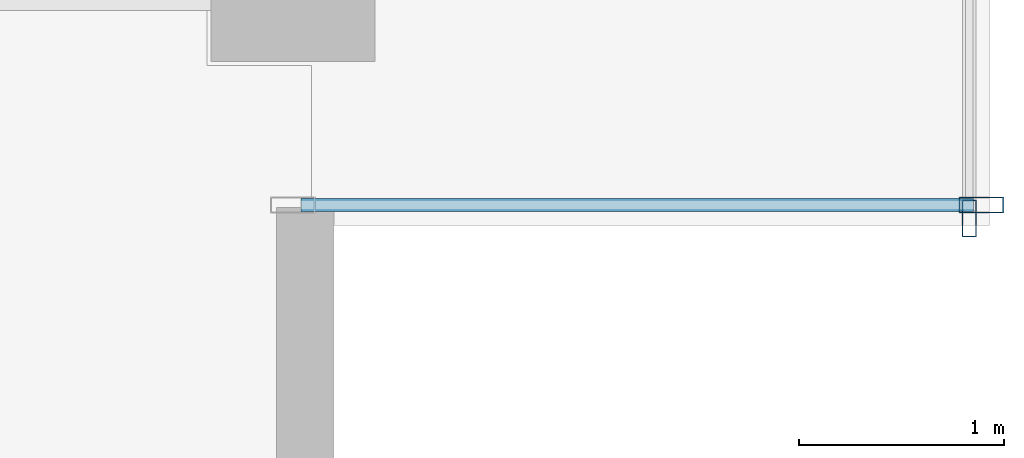
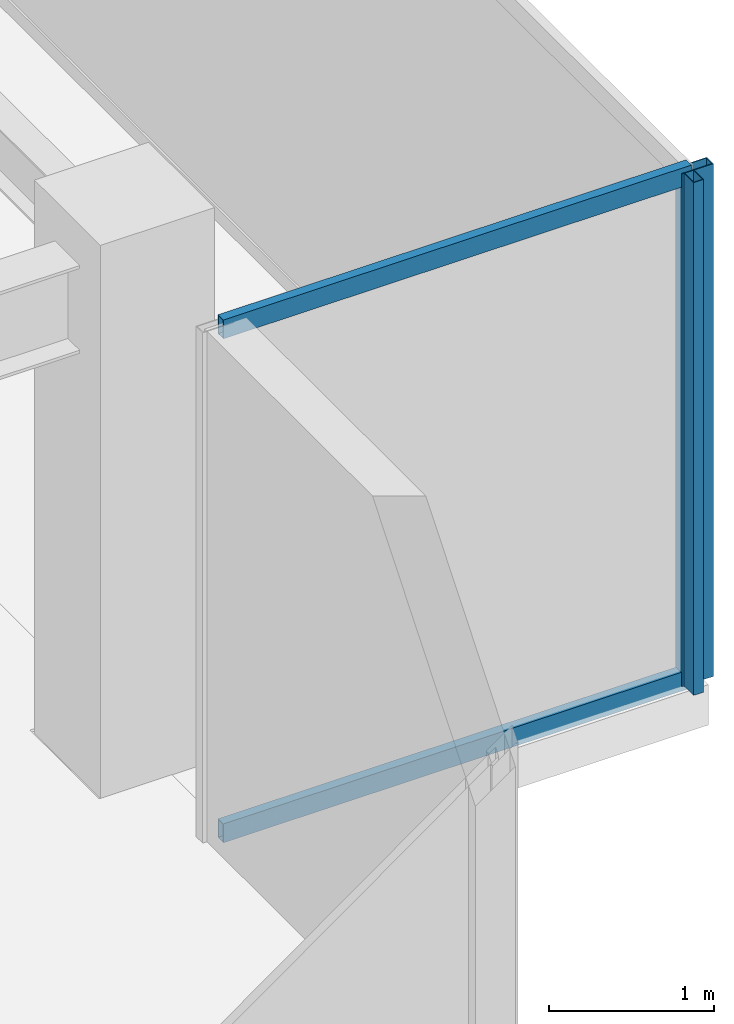
# One storey, part 22 of 35: 4 members, 2 elements without a shape of their own.
"""IFC4 building model written with IfcOpenShell, lengths in metres."""

import ifcopenshell
import ifcopenshell.guid

model = None  # the IFC model being written
_history = None  # IfcOwnerHistory: only IFC2X3 demands one
_inside = {}  # id of a spatial element -> (the spatial element, [elements in it])
_under = {}  # id of a project, library or spatial element -> (it, [spatial elements below it])
_declared = {}  # id of a project -> (the project, [libraries it declares])
_typed = {}  # id of a type object -> (the type object, [elements of that type])
_made_of = {}  # id of a material, layer set ... -> (it, [elements and type objects made of it])


def new_model(schema):
    """Start an empty IFC model of exactly this schema.

    Asked for "IFC4X3", IfcOpenShell would pick the latest addendum, in which some entities
    have other attributes; the version numbers below select the first issue.
    IFC2X3 requires an IfcOwnerHistory on every rooted entity: one is made here for all.
    """
    global model, _history
    if schema == "IFC4X3":
        model = ifcopenshell.file(schema_version=(4, 3, 0, 0))
    else:
        model = ifcopenshell.file(schema=schema)
    _inside.clear()
    _under.clear()
    _declared.clear()
    _typed.clear()
    _made_of.clear()
    _history = None
    if model.schema == "IFC2X3":
        org = make("IfcOrganization", Name="unknown")
        user = make(
            "IfcPersonAndOrganization",
            ThePerson=make("IfcPerson", FamilyName="unknown"),
            TheOrganization=org,
        )
        app = make(
            "IfcApplication",
            ApplicationDeveloper=org,
            Version="unknown",
            ApplicationFullName="unknown",
            ApplicationIdentifier="unknown",
        )
        _history = make(
            "IfcOwnerHistory",
            OwningUser=user,
            OwningApplication=app,
            ChangeAction="ADDED",
            CreationDate=0,
        )
    return model


def make(cls, **values):
    """One entity of the class cls with the attributes given. An attribute that is None is left unset."""
    return model.create_entity(
        cls, **{name: value for name, value in values.items() if value is not None}
    )


def rooted(cls, **values):
    """An entity with a GlobalId (a new one), such as an element, a storey or a relation."""
    return make(cls, GlobalId=ifcopenshell.guid.new(), OwnerHistory=_history, **values)


def si_unit(unit_type, name, prefix=None):
    """IfcSIUnit, for example si_unit("LENGTHUNIT", "METRE", prefix="MILLI")."""
    return make("IfcSIUnit", UnitType=unit_type, Prefix=prefix, Name=name)


def assignment(units):
    """IfcUnitAssignment: the units of a project."""
    return None if units is None else make("IfcUnitAssignment", Units=units)


def point(xyz):
    """IfcCartesianPoint."""
    return None if xyz is None else make("IfcCartesianPoint", Coordinates=xyz)


def direction(xyz):
    """IfcDirection."""
    return None if xyz is None else make("IfcDirection", DirectionRatios=xyz)


def frame(location, z_axis=None, x_axis=None):
    """IfcAxis2Placement3D, a coordinate frame: its origin and axes. An axis left out is left unset."""
    return make(
        "IfcAxis2Placement3D",
        Location=point(location),
        Axis=direction(z_axis),
        RefDirection=direction(x_axis),
    )


def frame_2d(location, x_axis=None):
    """IfcAxis2Placement2D, a coordinate frame in the plane: its origin and x axis."""
    return make(
        "IfcAxis2Placement2D", Location=point(location), RefDirection=direction(x_axis)
    )


def origin():
    """The frame at (0, 0, 0) with its axes left unset."""
    return frame((0.0, 0.0, 0.0))


def origin_2d():
    """The frame at (0, 0) in the plane with its x axis left unset."""
    return frame_2d((0.0, 0.0))


def place(relative_to, where):
    """IfcLocalPlacement: puts the frame where relative to a parent placement (None: the world)."""
    return make(
        "IfcLocalPlacement", PlacementRelTo=relative_to, RelativePlacement=where
    )


def context(
    kind, dimensions, precision=None, world=None, true_north=None, identifier=None
):
    """IfcGeometricRepresentationContext, for example the 3D "Model" context."""
    return make(
        "IfcGeometricRepresentationContext",
        ContextIdentifier=identifier,
        ContextType=kind,
        CoordinateSpaceDimension=dimensions,
        Precision=precision,
        WorldCoordinateSystem=world,
        TrueNorth=true_north,
    )


def subcontext(parent, identifier, kind, view, scale=None):
    """IfcGeometricRepresentationSubContext, for example "Body" below "Model"."""
    return make(
        "IfcGeometricRepresentationSubContext",
        ContextIdentifier=identifier,
        ContextType=kind,
        ParentContext=parent,
        TargetScale=scale,
        TargetView=view,
    )


def project(units=None, contexts=None):
    """IfcProject with its units and contexts."""
    return rooted(
        "IfcProject",
        Name="project",
        RepresentationContexts=contexts,
        UnitsInContext=assignment(units),
    )


def spatial(cls, under=None, at=None, **own):
    """A site, building, storey or space (cls), placed at a placement, below another one or the project."""
    s = rooted(cls, ObjectPlacement=at, **own)
    if under is not None:
        _under.setdefault(under.id(), (under, []))[1].append(s)
    return s


def profile(cls, at=None, kind="AREA", **sizes):
    """A parametric profile (cls). Its sizes go by their IFC names, for example OverallWidth=200.0."""
    return make(cls, ProfileType=kind, Position=at, **sizes)


def hollow_rectangle(**sizes):
    """IfcRectangleHollowProfileDef."""
    return profile("IfcRectangleHollowProfileDef", **sizes)


def extrude(swept, where, along, depth):
    """IfcExtrudedAreaSolid: the profile swept, set in the frame where, extruded along a direction by depth."""
    return make(
        "IfcExtrudedAreaSolid",
        SweptArea=swept,
        Position=where,
        ExtrudedDirection=direction(along),
        Depth=depth,
    )


def shape(context_of_items, identifier, shape_type, items):
    """IfcShapeRepresentation: the items that make up one representation, for example the "Body"."""
    return make(
        "IfcShapeRepresentation",
        ContextOfItems=context_of_items,
        RepresentationIdentifier=identifier,
        RepresentationType=shape_type,
        Items=items,
    )


def source(mapping_origin, context_of_items, identifier, shape_type, items):
    """IfcRepresentationMap: a shape defined once, which mapped items show again and again."""
    return make(
        "IfcRepresentationMap",
        MappingOrigin=mapping_origin,
        MappedRepresentation=shape(context_of_items, identifier, shape_type, items),
    )


def transform(
    local_origin,
    x_axis=None,
    y_axis=None,
    z_axis=None,
    scale=None,
    scale2=None,
    scale3=None,
    uniform=True,
):
    """IfcCartesianTransformationOperator3D, or its non-uniform kind. x_axis, y_axis, z_axis: its Axis1, 2, 3."""
    if uniform:
        return make(
            "IfcCartesianTransformationOperator3D",
            Axis1=direction(x_axis),
            Axis2=direction(y_axis),
            LocalOrigin=point(local_origin),
            Scale=scale,
            Axis3=direction(z_axis),
        )
    return make(
        "IfcCartesianTransformationOperator3DnonUniform",
        Axis1=direction(x_axis),
        Axis2=direction(y_axis),
        LocalOrigin=point(local_origin),
        Scale=scale,
        Axis3=direction(z_axis),
        Scale2=scale2,
        Scale3=scale3,
    )


def mapped(mapping_source, mapping_target):
    """IfcMappedItem: shows the shape of a source again, moved by a transform."""
    return make(
        "IfcMappedItem", MappingSource=mapping_source, MappingTarget=mapping_target
    )


def material(Name=None, Category=None):
    """IfcMaterial."""
    return make("IfcMaterial", Name=Name, Category=Category)


def layer(
    of_material, thickness, ventilated=None, Name=None, Category=None, Priority=None
):
    """IfcMaterialLayer: one layer of a wall or slab, of a material (None: an air gap)."""
    return make(
        "IfcMaterialLayer",
        Material=of_material,
        LayerThickness=thickness,
        IsVentilated=ventilated,
        Name=Name,
        Category=Category,
        Priority=Priority,
    )


def layer_set(layers, Name=None):
    """IfcMaterialLayerSet."""
    return make("IfcMaterialLayerSet", MaterialLayers=layers, LayerSetName=Name)


def material_profile(
    of_material, cross_section, Name=None, Category=None, Priority=None
):
    """IfcMaterialProfile: a cross section and its material."""
    return make(
        "IfcMaterialProfile",
        Name=Name,
        Material=of_material,
        Profile=cross_section,
        Priority=Priority,
        Category=Category,
    )


def profile_set(profiles, Name=None, composite=None):
    """IfcMaterialProfileSet."""
    return make(
        "IfcMaterialProfileSet",
        Name=Name,
        MaterialProfiles=profiles,
        CompositeProfile=composite,
    )


def made_of(thing, what):
    """Note that an element or type object is made of a material, layer set ...; save() writes the relation."""
    if what is not None:
        _made_of.setdefault(what.id(), (what, []))[1].append(thing)
    return thing


def type_object(cls, material=None, **own):
    """A type object (cls), such as IfcWallType, which elements share."""
    return made_of(rooted(cls, **own), material)


def type_shapes(of_type, sources):
    """Give a type object the sources (RepresentationMaps) that its elements show as mapped items."""
    of_type.RepresentationMaps = sources


def element(
    cls,
    number,
    at=None,
    inside=None,
    cuts=None,
    type_object=None,
    material=None,
    context=None,
    identifier="Body",
    shape_type=None,
    held_by="IfcProductDefinitionShape",
    body=None,
    shapes=None,
    **own,
):
    """One element of the class cls, such as IfcWall. Its Tag is "e" and its number.

    at: its placement. inside: the storey or other place that contains it. cuts: it is an
    opening in that element (IfcRelVoidsElement). A single representation is given by context,
    identifier, shape_type and body (its items); several are given by shapes. held_by: the class
    of the entity that holds the representations. save() writes the other relations.
    """
    e = rooted(cls, Tag="e%d" % number, ObjectPlacement=at, **own)
    if body is not None:
        shapes = [shape(context, identifier, shape_type, body)]
    if shapes is not None:
        e.Representation = make(held_by, Representations=shapes)
    if inside is not None:
        _inside.setdefault(inside.id(), (inside, []))[1].append(e)
    if cuts is not None:
        rooted(
            "IfcRelVoidsElement", RelatingBuildingElement=cuts, RelatedOpeningElement=e
        )
    if type_object is not None:
        _typed.setdefault(type_object.id(), (type_object, []))[1].append(e)
    return made_of(e, material)


def aggregate(whole, parts):
    """IfcRelAggregates: a whole, such as a stair, and the parts it consists of."""
    return rooted("IfcRelAggregates", RelatingObject=whole, RelatedObjects=parts)


def save(model, path):
    """Write the relations noted so far, then the file.

    IfcRelAggregates (storeys below a building ...), IfcRelContainedInSpatialStructure (elements
    in a storey), IfcRelDefinesByType, IfcRelAssociatesMaterial and IfcRelDeclares: one each for
    every whole, place, type object, material and project.
    """
    for whole, parts in _under.values():
        aggregate(whole, parts)
    for where, things in _inside.values():
        rooted(
            "IfcRelContainedInSpatialStructure",
            RelatedElements=things,
            RelatingStructure=where,
        )
    for kind, things in _typed.values():
        rooted("IfcRelDefinesByType", RelatedObjects=things, RelatingType=kind)
    for what, things in _made_of.values():
        rooted("IfcRelAssociatesMaterial", RelatedObjects=things, RelatingMaterial=what)
    for by, libraries in _declared.values():
        rooted("IfcRelDeclares", RelatingContext=by, RelatedDefinitions=libraries)
    model.write(path)


model = new_model("IFC4")

# Units and contexts
model_context = context("Model", 3, precision=1e-05, world=origin(), true_north=direction((0.0, 1.0)))
body_context = subcontext(model_context, "Body", "Model", "MODEL_VIEW")
ifc_project = project(units=[si_unit("LENGTHUNIT", "METRE"), si_unit("AREAUNIT", "SQUARE_METRE"), si_unit("VOLUMEUNIT", "CUBIC_METRE"), si_unit("PLANEANGLEUNIT", "RADIAN"), si_unit("MASSUNIT", "GRAM", prefix="KILO")], contexts=[model_context])

# Site, building, storey
site_placement = place(None, origin())
site = spatial("IfcSite", under=ifc_project, at=site_placement, CompositionType="ELEMENT")
building_placement = place(site_placement, origin())
building = spatial("IfcBuilding", under=site, at=building_placement, Name="Haelvirn Gate Laboratories", CompositionType="ELEMENT")
storey_placement = place(building_placement, frame((0.0, 0.0, 226.0)))
storey = spatial("IfcBuildingStorey", under=building, at=storey_placement, Name="L54", CompositionType="ELEMENT", Elevation=226.0)

# Curtain wall, members
ifc_material_1 = material(Name="Anodised bronze unitised aluminium & triple low-E glass", Category="aluminium")
ifc_layer_1 = layer(ifc_material_1, 0.181884765625, Name="CW-SYS-5")
ifc_layer_set_1 = layer_set([ifc_layer_1], Name="Anodised bronze unitised aluminium & triple low-E glass")
curtain_wall_type_1 = type_object("IfcCurtainWallType", Name="CW-SYS-5", PredefinedType="NOTDEFINED", material=ifc_layer_set_1)
curtain_wall_1_placement = place(storey_placement, origin())
curtain_wall_1 = element("IfcCurtainWall", 1, at=curtain_wall_1_placement, inside=storey, type_object=curtain_wall_type_1, Name="L54 Unitised Curtain Wall CW-L54-P0-E06-1", PredefinedType="NOTDEFINED")
ifc_material_2 = material(Name="Extruded aluminium 6063-T6 (anodised bronze)", Category="aluminium")
ifc_material_profile_1 = material_profile(ifc_material_2, hollow_rectangle(XDim=0.06494140625, YDim=0.139892578125, WallThickness=0.00390625, at=origin_2d()), Name="CWT-140x65x4")
ifc_profile_set_1 = profile_set([ifc_material_profile_1], Name="Extruded aluminium 6063-T6 (anodised bronze)")
member_type_1 = type_object("IfcMemberType", Name="CWT-T140", PredefinedType="USERDEFINED", material=ifc_profile_set_1)
shared_shape_1 = source(origin(), body_context, "Body", "SweptSolid", [
    extrude(hollow_rectangle(XDim=0.06494140625, YDim=0.139892578125, WallThickness=0.00390625, at=origin_2d()), origin(), (0.0, 0.0, 1.0), 3.280029296875),
])
type_shapes(member_type_1, [shared_shape_1])
member_1_placement = place(storey_placement, frame((67.43994140625, 5.89990234375, 0.032470703125), z_axis=(1.0, 0.0, 0.0), x_axis=(0.0, 1.0, 0.0)))
member_1 = element("IfcMember", 2, at=member_1_placement, type_object=member_type_1, Name="CW5 transom 1.1", ObjectType="TRANSOM", PredefinedType="USERDEFINED", context=body_context, shape_type="MappedRepresentation", body=[
    mapped(shared_shape_1, transform((0.0, 0.0, 0.0), scale=1.0)),
])
member_2_placement = place(storey_placement, frame((67.43994140625, 5.89990234375, 3.767578125), z_axis=(1.0, 0.0, 0.0), x_axis=(0.0, 1.0, 0.0)))
member_2 = element("IfcMember", 3, at=member_2_placement, type_object=member_type_1, Name="CW5 transom 1.2", ObjectType="TRANSOM", PredefinedType="USERDEFINED", context=body_context, shape_type="MappedRepresentation", body=[
    mapped(shared_shape_1, transform((0.0, 0.0, 0.0), scale=1.0)),
])

# Curtain wall, member
ifc_layer_2 = layer(ifc_material_1, 0.176025390625, Name="CW-SYS-4")
ifc_layer_set_2 = layer_set([ifc_layer_2], Name="Anodised bronze unitised aluminium & triple low-E glass")
curtain_wall_type_2 = type_object("IfcCurtainWallType", Name="CW-SYS-4", PredefinedType="NOTDEFINED", material=ifc_layer_set_2)
curtain_wall_2_placement = place(storey_placement, origin())
curtain_wall_2 = element("IfcCurtainWall", 4, at=curtain_wall_2_placement, inside=storey, type_object=curtain_wall_type_2, Name="L54 Unitised Curtain Wall CW-L54-P0-E07", PredefinedType="NOTDEFINED")
ifc_material_profile_2 = material_profile(ifc_material_2, hollow_rectangle(XDim=0.070068359375, YDim=0.179931640625, WallThickness=0.0048828125, at=origin_2d()), Name="CWM-180x70x5")
ifc_profile_set_2 = profile_set([ifc_material_profile_2], Name="Extruded aluminium 6063-T6 (anodised bronze)")
member_type_2 = type_object("IfcMemberType", Name="CWM-T180", PredefinedType="MULLION", material=ifc_profile_set_2)
shared_shape_2 = source(origin(), body_context, "Body", "SweptSolid", [
    extrude(hollow_rectangle(XDim=0.070068359375, YDim=0.179931640625, WallThickness=0.0048828125, at=origin_2d()), origin(), (0.0, 0.0, 1.0), 3.800048828125),
])
type_shapes(member_type_2, [shared_shape_2])
member_3_placement = place(storey_placement, frame((70.699951171875, 5.8349609375, 0.0), z_axis=(0.0, 0.0, 1.0), x_axis=(-1.0, 0.0, 0.0)))
member_3 = element("IfcMember", 5, at=member_3_placement, type_object=member_type_2, Name="CW4 mullion 1", PredefinedType="MULLION", context=body_context, shape_type="MappedRepresentation", body=[
    mapped(shared_shape_2, transform((0.0, 0.0, 0.0), scale=1.0)),
])
aggregate(curtain_wall_2, [member_3])

# Member
ifc_material_profile_3 = material_profile(ifc_material_2, hollow_rectangle(XDim=0.080078125, YDim=0.219970703125, WallThickness=0.006103515625, at=origin_2d()), Name="CWM-220x80x6")
ifc_profile_set_3 = profile_set([ifc_material_profile_3], Name="Extruded aluminium 6063-T6 (anodised bronze)")
member_type_3 = type_object("IfcMemberType", Name="CWM-T220", PredefinedType="MULLION", material=ifc_profile_set_3)
shared_shape_3 = source(origin(), body_context, "Body", "SweptSolid", [
    extrude(hollow_rectangle(XDim=0.080078125, YDim=0.219970703125, WallThickness=0.006103515625, at=origin_2d()), origin(), (0.0, 0.0, 1.0), 3.800048828125),
])
type_shapes(member_type_3, [shared_shape_3])
member_4_placement = place(storey_placement, frame((70.760009765625, 5.89990234375, 0.0), z_axis=(0.0, 0.0, 1.0), x_axis=(0.0, 1.0, 0.0)))
member_4 = element("IfcMember", 6, at=member_4_placement, type_object=member_type_3, Name="CW5 mullion 2", PredefinedType="MULLION", context=body_context, shape_type="MappedRepresentation", body=[
    mapped(shared_shape_3, transform((0.0, 0.0, 0.0), scale=1.0)),
])

aggregate(curtain_wall_1, [member_4, member_1, member_2])

save(model, "model.ifc")
